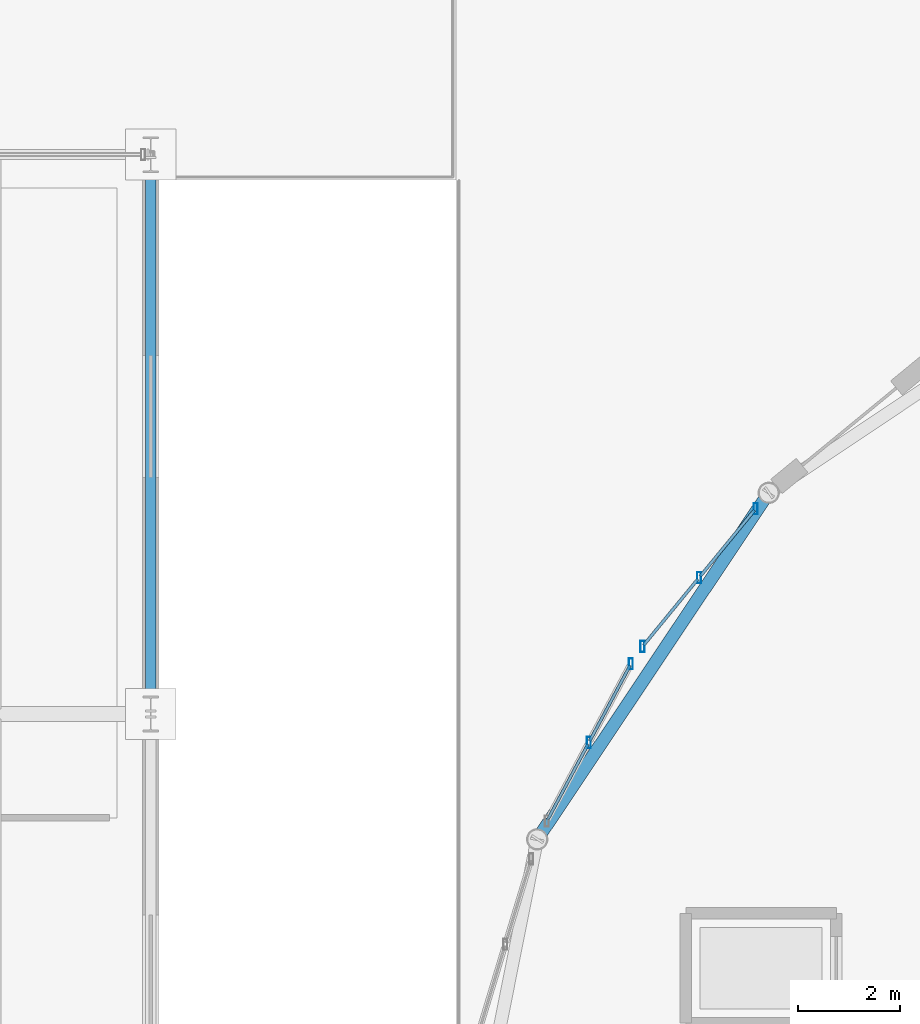
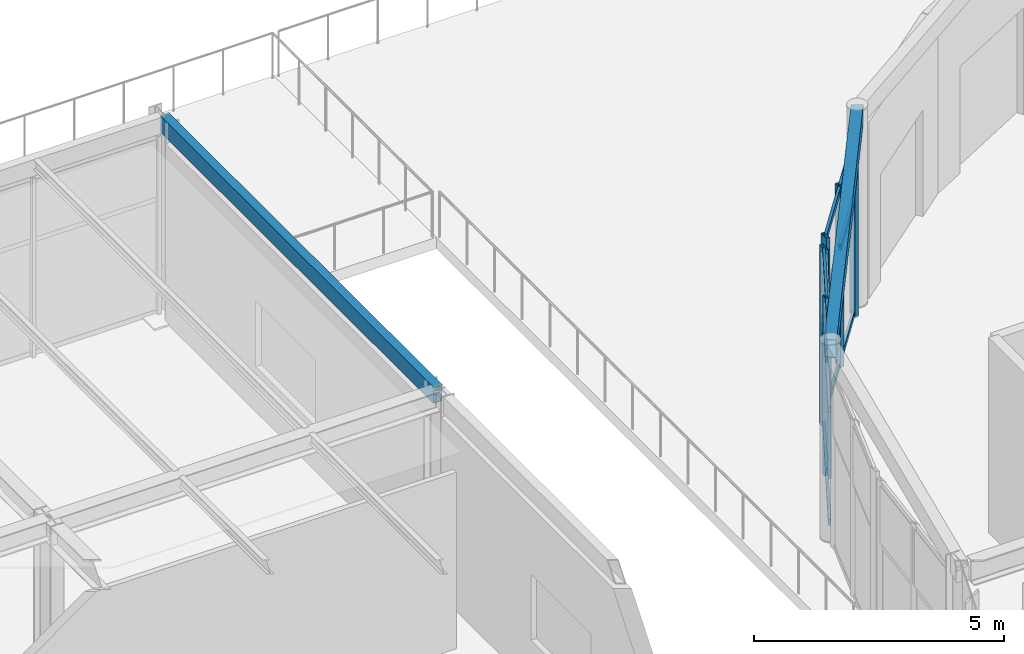
# One storey, part 44 of 143: 17 members, 2 beams, 2 elements without a shape of their own.
"""IFC4 building model written with IfcOpenShell, lengths in metres."""

from ifc_helpers import new_model, si_unit, direction, frame, origin, origin_2d, place, context, subcontext, project, spatial, hollow_rectangle, extrude, material, layer, layer_set, material_profile, profile_set, type_object, element, aggregate, save


model = new_model("IFC4")

# Units and contexts
model_context = context("Model", 3, precision=1e-05, world=origin(), true_north=direction((0.0, 1.0)))
body_context = subcontext(model_context, "Body", "Model", "MODEL_VIEW")
ifc_project = project(units=[si_unit("LENGTHUNIT", "METRE"), si_unit("AREAUNIT", "SQUARE_METRE"), si_unit("VOLUMEUNIT", "CUBIC_METRE"), si_unit("PLANEANGLEUNIT", "RADIAN"), si_unit("MASSUNIT", "GRAM", prefix="KILO")], contexts=[model_context])

# Site, building, storey
site_placement = place(None, origin())
site = spatial("IfcSite", under=ifc_project, at=site_placement, CompositionType="ELEMENT")
building_placement = place(site_placement, origin())
building = spatial("IfcBuilding", under=site, at=building_placement, Name="Marlcrest Central Station", CompositionType="ELEMENT")
storey_placement = place(building_placement, frame((0.0, 0.0, 4.800048828125)))
storey = spatial("IfcBuildingStorey", under=building, at=storey_placement, Name="L01", CompositionType="ELEMENT", Elevation=4.800048828125)

# Curtain wall, members
ifc_material_1 = material(Name="Anodised aluminium and hurricane laminated glass", Category="aluminium")
ifc_layer = layer(ifc_material_1, 0.219970703125, Name="CW-U1")
ifc_layer_set = layer_set([ifc_layer], Name="Anodised aluminium and hurricane laminated glass")
curtain_wall_type = type_object("IfcCurtainWallType", Name="CW-U1", PredefinedType="USERDEFINED", material=ifc_layer_set)
curtain_wall_1_placement = place(storey_placement, origin())
curtain_wall_1 = element("IfcCurtainWall", 1, at=curtain_wall_1_placement, inside=storey, type_object=curtain_wall_type, Name="cw-L01-0059", ObjectType="UNITISED_CURTAIN_WALL", PredefinedType="USERDEFINED")
ifc_material_2 = material(Name="Anodised aluminium 6063-T6", Category="aluminium")
ifc_material_profile_1 = material_profile(ifc_material_2, hollow_rectangle(XDim=0.080078125, YDim=0.219970703125, WallThickness=0.006103515625, at=origin_2d()), Name="AA-RHS 220x80x6")
ifc_profile_set_1 = profile_set([ifc_material_profile_1], Name="Anodised aluminium 6063-T6")
member_type_1 = type_object("IfcMemberType", Name="ML-01", PredefinedType="MULLION", material=ifc_profile_set_1)
member_1_placement = place(storey_placement, frame((89.61572265625, 120.43896484375, -0.030029296875), z_axis=(0.0, 0.0, 1.0), x_axis=(1.0, 0.0, 0.0)))
member_1 = element("IfcMember", 2, at=member_1_placement, type_object=member_type_1, Name="cw-L01-0059-ml-1", PredefinedType="MULLION", context=body_context, shape_type="SweptSolid", body=[
    extrude(hollow_rectangle(XDim=0.080078125, YDim=0.219970703125, WallThickness=0.006103515625, at=origin_2d()), origin(), (0.0, 0.0, 1.0), 4.35986328125),
])
member_2_placement = place(storey_placement, frame((90.44189453125, 121.985595703125, -0.030029296875), z_axis=(0.0, 0.0, 1.0), x_axis=(1.0, 0.0, 0.0)))
member_2 = element("IfcMember", 3, at=member_2_placement, type_object=member_type_1, Name="cw-L01-0059-ml-2", PredefinedType="MULLION", context=body_context, shape_type="SweptSolid", body=[
    extrude(hollow_rectangle(XDim=0.080078125, YDim=0.219970703125, WallThickness=0.006103515625, at=origin_2d()), origin(), (0.0, 0.0, 1.0), 4.35986328125),
])

curtain_wall_2_placement = place(storey_placement, origin())
curtain_wall_2 = element("IfcCurtainWall", 4, at=curtain_wall_2_placement, inside=storey, type_object=curtain_wall_type, Name="cw-L01-0060", ObjectType="UNITISED_CURTAIN_WALL", PredefinedType="USERDEFINED")
member_3_placement = place(storey_placement, frame((90.669677734375, 122.326171875, -0.030029296875), z_axis=(0.0, 0.0, 1.0), x_axis=(1.0, 0.0, 0.0)))
member_3 = element("IfcMember", 5, at=member_3_placement, type_object=member_type_1, Name="cw-L01-0060-ml-0", PredefinedType="MULLION", context=body_context, shape_type="SweptSolid", body=[
    extrude(hollow_rectangle(XDim=0.080078125, YDim=0.219970703125, WallThickness=0.006103515625, at=origin_2d()), origin(), (0.0, 0.0, 1.0), 4.35986328125),
])
member_4_placement = place(storey_placement, frame((91.781982421875, 123.681396484375, -0.030029296875), z_axis=(0.0, 0.0, 1.0), x_axis=(1.0, 0.0, 0.0)))
member_4 = element("IfcMember", 6, at=member_4_placement, type_object=member_type_1, Name="cw-L01-0060-ml-1", PredefinedType="MULLION", context=body_context, shape_type="SweptSolid", body=[
    extrude(hollow_rectangle(XDim=0.080078125, YDim=0.219970703125, WallThickness=0.006103515625, at=origin_2d()), origin(), (0.0, 0.0, 1.0), 4.35986328125),
])
member_5_placement = place(storey_placement, frame((92.89453125, 125.03662109375, -0.030029296875), z_axis=(0.0, 0.0, 1.0), x_axis=(1.0, 0.0, 0.0)))
member_5 = element("IfcMember", 7, at=member_5_placement, type_object=member_type_1, Name="cw-L01-0060-ml-2", PredefinedType="MULLION", context=body_context, shape_type="SweptSolid", body=[
    extrude(hollow_rectangle(XDim=0.080078125, YDim=0.219970703125, WallThickness=0.006103515625, at=origin_2d()), origin(), (0.0, 0.0, 1.0), 4.35986328125),
])

# Beams
ifc_material_3 = material(Name="Steel S355", Category="steel")
ifc_material_profile_2 = material_profile(ifc_material_3, hollow_rectangle(XDim=0.199951171875, YDim=0.39990234375, WallThickness=0.01611328125, at=origin_2d()), Name="RHS 400x200x16")
ifc_profile_set_2 = profile_set([ifc_material_profile_2], Name="Steel S355")
beam_type_1 = type_object("IfcBeamType", Name="SP-01", PredefinedType="SPANDREL", material=ifc_profile_set_2)
beam_1_placement = place(storey_placement, frame((81.0, 121.050048828125, 4.619873046875), z_axis=(0.0, 1.0, 0.0), x_axis=(-1.0, 0.0, 0.0)))
element("IfcBeam", 8, at=beam_1_placement, inside=storey, type_object=beam_type_1, Name="bm-SP-01-L01-00293", PredefinedType="SPANDREL", context=body_context, shape_type="SweptSolid", body=[
    extrude(hollow_rectangle(XDim=0.199951171875, YDim=0.39990234375, WallThickness=0.01611328125, at=origin_2d()), origin(), (0.0, 0.0, 1.0), 10.89990234375),
])
ifc_material_profile_3 = material_profile(ifc_material_3, hollow_rectangle(XDim=0.25, YDim=0.449951171875, WallThickness=0.01611328125, at=origin_2d()), Name="RHS 450x250x16")
ifc_profile_set_3 = profile_set([ifc_material_profile_3], Name="Steel S355")
beam_type_2 = type_object("IfcBeamType", Name="SP-02", PredefinedType="SPANDREL", material=ifc_profile_set_3)
beam_2_placement = place(storey_placement, frame((88.59912109375, 118.535888671875, 4.58984375), z_axis=(0.55551129271, 0.831508991937, 0.0), x_axis=(-0.831508991937, 0.55551129271, 0.0)))
element("IfcBeam", 9, at=beam_2_placement, inside=storey, type_object=beam_type_2, Name="bm-SP-02-L01-01459", PredefinedType="SPANDREL", context=body_context, shape_type="SweptSolid", body=[
    extrude(hollow_rectangle(XDim=0.25, YDim=0.449951171875, WallThickness=0.01611328125, at=origin_2d()), origin(), (0.0, 0.0, 1.0), 8.19384765625),
])

# Member
ifc_material_profile_4 = material_profile(ifc_material_2, hollow_rectangle(XDim=0.06005859375, YDim=0.14990234375, WallThickness=0.00390625, at=origin_2d()), Name="AA-RHS 150x60x4")
ifc_profile_set_4 = profile_set([ifc_material_profile_4], Name="Anodised aluminium 6063-T6")
member_type_2 = type_object("IfcMemberType", Name="TR-01", PredefinedType="USERDEFINED", material=ifc_profile_set_4)
member_6_placement = place(storey_placement, frame((88.807373046875, 118.92578125, 0.0400390625), z_axis=(0.471207478568, 0.882022398889, 0.0), x_axis=(-0.882022398889, 0.471207478568, 0.0)))
member_6 = element("IfcMember", 10, at=member_6_placement, type_object=member_type_2, Name="cw-L01-0059-tr-0-sill", ObjectType="TRANSOM", PredefinedType="USERDEFINED", context=body_context, shape_type="SweptSolid", body=[
    extrude(hollow_rectangle(XDim=0.06005859375, YDim=0.14990234375, WallThickness=0.00390625, at=origin_2d()), origin(), (0.0, 0.0, 1.0), 1.677734375),
])

member_7_placement = place(storey_placement, frame((88.807373046875, 118.92578125, 2.794921875), z_axis=(0.471207478568, 0.882022398889, 0.0), x_axis=(-0.882022398889, 0.471207478568, 0.0)))
member_7 = element("IfcMember", 11, at=member_7_placement, type_object=member_type_2, Name="cw-L01-0059-tr-0-mid", ObjectType="TRANSOM", PredefinedType="USERDEFINED", context=body_context, shape_type="SweptSolid", body=[
    extrude(hollow_rectangle(XDim=0.06005859375, YDim=0.14990234375, WallThickness=0.00390625, at=origin_2d()), origin(), (0.0, 0.0, 1.0), 1.677734375),
])

member_8_placement = place(storey_placement, frame((88.807373046875, 118.92578125, 4.260009765625), z_axis=(0.471207478568, 0.882022398889, 0.0), x_axis=(-0.882022398889, 0.471207478568, 0.0)))
member_8 = element("IfcMember", 12, at=member_8_placement, type_object=member_type_2, Name="cw-L01-0059-tr-0-head", ObjectType="TRANSOM", PredefinedType="USERDEFINED", context=body_context, shape_type="SweptSolid", body=[
    extrude(hollow_rectangle(XDim=0.06005859375, YDim=0.14990234375, WallThickness=0.00390625, at=origin_2d()), origin(), (0.0, 0.0, 1.0), 1.677734375),
])

member_9_placement = place(storey_placement, frame((89.633544921875, 120.472412109375, 0.0400390625), z_axis=(0.47126796736, 0.881990080976, 0.0), x_axis=(-0.881990080976, 0.47126796736, 0.0)))
member_9 = element("IfcMember", 13, at=member_9_placement, type_object=member_type_2, Name="cw-L01-0059-tr-1-sill", ObjectType="TRANSOM", PredefinedType="USERDEFINED", context=body_context, shape_type="SweptSolid", body=[
    extrude(hollow_rectangle(XDim=0.06005859375, YDim=0.14990234375, WallThickness=0.00390625, at=origin_2d()), origin(), (0.0, 0.0, 1.0), 1.677490234375),
])

member_10_placement = place(storey_placement, frame((89.633544921875, 120.472412109375, 2.794921875), z_axis=(0.47126796736, 0.881990080976, 0.0), x_axis=(-0.881990080976, 0.47126796736, 0.0)))
member_10 = element("IfcMember", 14, at=member_10_placement, type_object=member_type_2, Name="cw-L01-0059-tr-1-mid", ObjectType="TRANSOM", PredefinedType="USERDEFINED", context=body_context, shape_type="SweptSolid", body=[
    extrude(hollow_rectangle(XDim=0.06005859375, YDim=0.14990234375, WallThickness=0.00390625, at=origin_2d()), origin(), (0.0, 0.0, 1.0), 1.677490234375),
])

member_11_placement = place(storey_placement, frame((89.633544921875, 120.472412109375, 4.260009765625), z_axis=(0.47126796736, 0.881990080976, 0.0), x_axis=(-0.881990080976, 0.47126796736, 0.0)))
member_11 = element("IfcMember", 15, at=member_11_placement, type_object=member_type_2, Name="cw-L01-0059-tr-1-head", ObjectType="TRANSOM", PredefinedType="USERDEFINED", context=body_context, shape_type="SweptSolid", body=[
    extrude(hollow_rectangle(XDim=0.06005859375, YDim=0.14990234375, WallThickness=0.00390625, at=origin_2d()), origin(), (0.0, 0.0, 1.0), 1.677490234375),
])

aggregate(curtain_wall_1, [member_1, member_2, member_6, member_7, member_8, member_9, member_10, member_11])

member_12_placement = place(storey_placement, frame((90.693603515625, 122.35546875, 0.0400390625), z_axis=(0.634512842936, 0.772912318539, 0.0), x_axis=(-0.772912318539, 0.634512842936, 0.0)))
member_12 = element("IfcMember", 16, at=member_12_placement, type_object=member_type_2, Name="cw-L01-0060-tr-0-sill", ObjectType="TRANSOM", PredefinedType="USERDEFINED", context=body_context, shape_type="SweptSolid", body=[
    extrude(hollow_rectangle(XDim=0.06005859375, YDim=0.14990234375, WallThickness=0.00390625, at=origin_2d()), origin(), (0.0, 0.0, 1.0), 1.677490234375),
])

member_13_placement = place(storey_placement, frame((90.693603515625, 122.35546875, 2.794921875), z_axis=(0.634512842936, 0.772912318539, 0.0), x_axis=(-0.772912318539, 0.634512842936, 0.0)))
member_13 = element("IfcMember", 17, at=member_13_placement, type_object=member_type_2, Name="cw-L01-0060-tr-0-mid", ObjectType="TRANSOM", PredefinedType="USERDEFINED", context=body_context, shape_type="SweptSolid", body=[
    extrude(hollow_rectangle(XDim=0.06005859375, YDim=0.14990234375, WallThickness=0.00390625, at=origin_2d()), origin(), (0.0, 0.0, 1.0), 1.677490234375),
])

member_14_placement = place(storey_placement, frame((90.693603515625, 122.35546875, 4.260009765625), z_axis=(0.634512842936, 0.772912318539, 0.0), x_axis=(-0.772912318539, 0.634512842936, 0.0)))
member_14 = element("IfcMember", 18, at=member_14_placement, type_object=member_type_2, Name="cw-L01-0060-tr-0-head", ObjectType="TRANSOM", PredefinedType="USERDEFINED", context=body_context, shape_type="SweptSolid", body=[
    extrude(hollow_rectangle(XDim=0.06005859375, YDim=0.14990234375, WallThickness=0.00390625, at=origin_2d()), origin(), (0.0, 0.0, 1.0), 1.677490234375),
])

member_15_placement = place(storey_placement, frame((91.80615234375, 123.710693359375, 0.0400390625), z_axis=(0.634512842936, 0.772912318539, 0.0), x_axis=(-0.772912318539, 0.634512842936, 0.0)))
member_15 = element("IfcMember", 19, at=member_15_placement, type_object=member_type_2, Name="cw-L01-0060-tr-1-sill", ObjectType="TRANSOM", PredefinedType="USERDEFINED", context=body_context, shape_type="SweptSolid", body=[
    extrude(hollow_rectangle(XDim=0.06005859375, YDim=0.14990234375, WallThickness=0.00390625, at=origin_2d()), origin(), (0.0, 0.0, 1.0), 1.677490234375),
])

member_16_placement = place(storey_placement, frame((91.80615234375, 123.710693359375, 2.794921875), z_axis=(0.634512842936, 0.772912318539, 0.0), x_axis=(-0.772912318539, 0.634512842936, 0.0)))
member_16 = element("IfcMember", 20, at=member_16_placement, type_object=member_type_2, Name="cw-L01-0060-tr-1-mid", ObjectType="TRANSOM", PredefinedType="USERDEFINED", context=body_context, shape_type="SweptSolid", body=[
    extrude(hollow_rectangle(XDim=0.06005859375, YDim=0.14990234375, WallThickness=0.00390625, at=origin_2d()), origin(), (0.0, 0.0, 1.0), 1.677490234375),
])

member_17_placement = place(storey_placement, frame((91.80615234375, 123.710693359375, 4.260009765625), z_axis=(0.634512842936, 0.772912318539, 0.0), x_axis=(-0.772912318539, 0.634512842936, 0.0)))
member_17 = element("IfcMember", 21, at=member_17_placement, type_object=member_type_2, Name="cw-L01-0060-tr-1-head", ObjectType="TRANSOM", PredefinedType="USERDEFINED", context=body_context, shape_type="SweptSolid", body=[
    extrude(hollow_rectangle(XDim=0.06005859375, YDim=0.14990234375, WallThickness=0.00390625, at=origin_2d()), origin(), (0.0, 0.0, 1.0), 1.677490234375),
])

aggregate(curtain_wall_2, [member_3, member_4, member_5, member_12, member_13, member_14, member_15, member_16, member_17])

save(model, "model.ifc")
